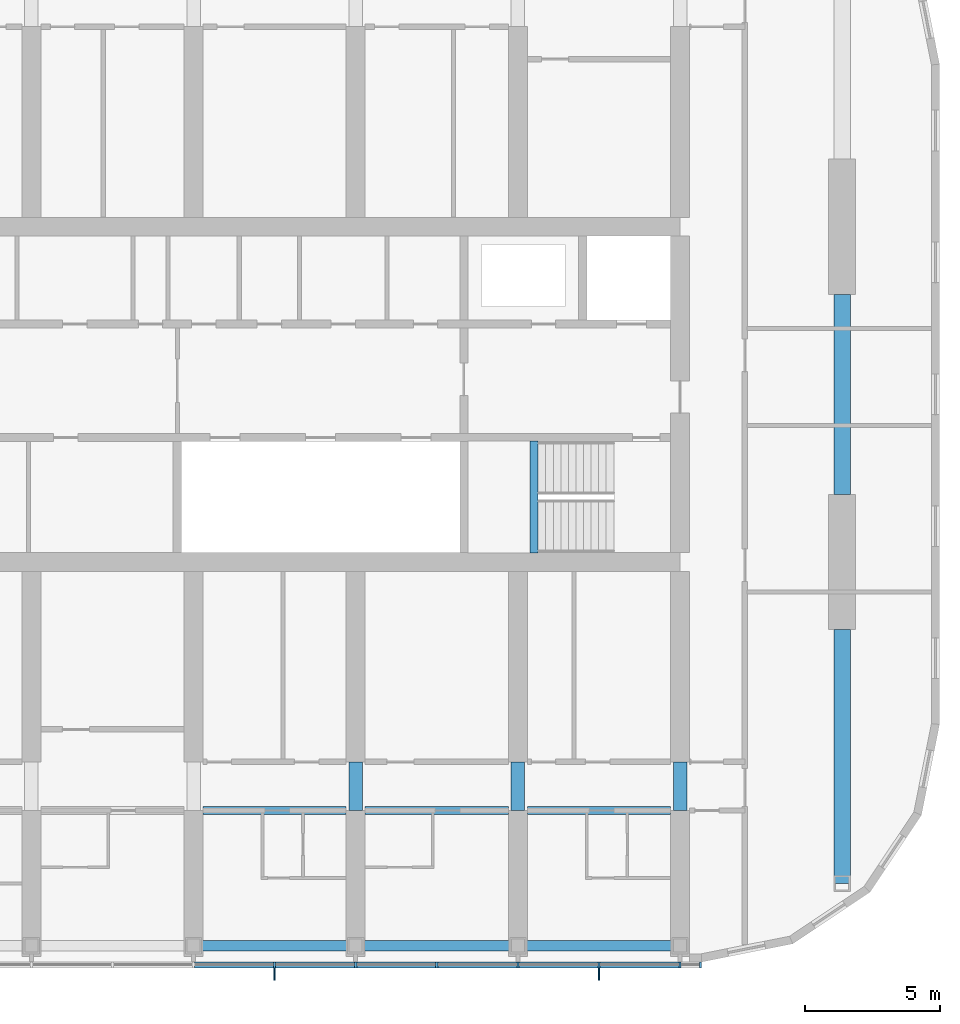
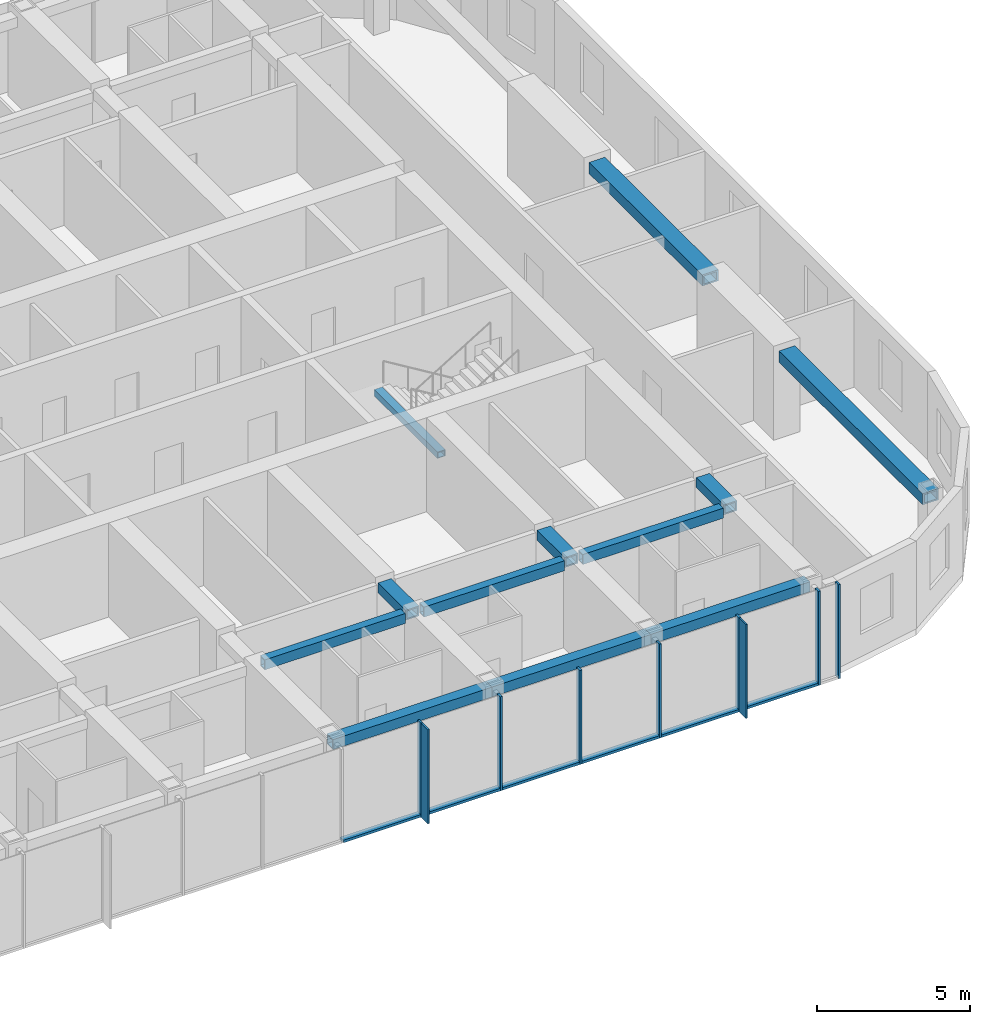
# One storey, part 3 of 23: 15 members, 12 beams, 1 element without a shape of its own.
"""IFC4 building model written with IfcOpenShell, lengths in metres."""

from ifc_helpers import new_model, si_unit, direction, frame, origin, origin_2d, place, context, subcontext, project, spatial, rectangle, hollow_rectangle, extrude, material, material_profile, profile_set, type_object, element, aggregate, save


model = new_model("IFC4")

# Units and contexts
model_context = context("Model", 3, precision=1e-05, world=origin(), true_north=direction((0.0, 1.0)))
body_context = subcontext(model_context, "Body", "Model", "MODEL_VIEW")
ifc_project = project(units=[si_unit("LENGTHUNIT", "METRE"), si_unit("AREAUNIT", "SQUARE_METRE"), si_unit("VOLUMEUNIT", "CUBIC_METRE"), si_unit("PLANEANGLEUNIT", "RADIAN"), si_unit("MASSUNIT", "GRAM", prefix="KILO")], contexts=[model_context])

# Site, building, storey
site_placement = place(None, origin())
site = spatial("IfcSite", under=ifc_project, at=site_placement, CompositionType="ELEMENT")
building_placement = place(site_placement, origin())
building = spatial("IfcBuilding", under=site, at=building_placement, Name="Orbita Commons", CompositionType="ELEMENT")
storey_placement = place(building_placement, frame((0.0, 0.0, 224.050048828125)))
storey = spatial("IfcBuildingStorey", under=building, at=storey_placement, Name="L55", CompositionType="ELEMENT", Elevation=224.050048828125)

# Curtain wall, members
ifc_material_1 = material(Name="Anodised aluminium frame, pale silver", Category="aluminium")
curtain_wall_type = type_object("IfcCurtainWallType", Name="Unitised curtain wall CW-U, full-height vision", PredefinedType="NOTDEFINED", material=ifc_material_1)
curtain_wall_placement = place(storey_placement, origin())
curtain_wall = element("IfcCurtainWall", 1, at=curtain_wall_placement, inside=storey, type_object=curtain_wall_type, Name="Curtain wall south L55", PredefinedType="NOTDEFINED")
ifc_material_2 = material(Name="Anodised aluminium, pale silver", Category="aluminium")
ifc_material_profile_1 = material_profile(ifc_material_2, rectangle(XDim=0.080078125, YDim=0.219970703125, at=origin_2d()), Name="AL 80x220")
ifc_profile_set_1 = profile_set([ifc_material_profile_1], Name="Anodised aluminium, pale silver")
member_type_1 = type_object("IfcMemberType", Name="Curtain wall mullion 80x220", PredefinedType="MULLION", material=ifc_profile_set_1)
member_1_placement = place(storey_placement, frame((51.0, 10.889892578125, -0.25), z_axis=(0.0, 0.0, 1.0), x_axis=(1.0, 0.0, 0.0)))
member_1 = element("IfcMember", 2, at=member_1_placement, type_object=member_type_1, Name="Mullion 13 CW-L55-S", PredefinedType="MULLION", context=body_context, shape_type="SweptSolid", body=[
    extrude(rectangle(XDim=0.080078125, YDim=0.219970703125, at=origin_2d()), origin(), (0.0, 0.0, 1.0), 3.75),
])
member_2_placement = place(storey_placement, frame((54.0, 10.889892578125, -0.25), z_axis=(0.0, 0.0, 1.0), x_axis=(1.0, 0.0, 0.0)))
member_2 = element("IfcMember", 3, at=member_2_placement, type_object=member_type_1, Name="Mullion 14 CW-L55-S", PredefinedType="MULLION", context=body_context, shape_type="SweptSolid", body=[
    extrude(rectangle(XDim=0.080078125, YDim=0.219970703125, at=origin_2d()), origin(), (0.0, 0.0, 1.0), 3.75),
])
member_3_placement = place(storey_placement, frame((57.0, 10.889892578125, -0.25), z_axis=(0.0, 0.0, 1.0), x_axis=(1.0, 0.0, 0.0)))
member_3 = element("IfcMember", 4, at=member_3_placement, type_object=member_type_1, Name="Mullion 15 CW-L55-S", PredefinedType="MULLION", context=body_context, shape_type="SweptSolid", body=[
    extrude(rectangle(XDim=0.080078125, YDim=0.219970703125, at=origin_2d()), origin(), (0.0, 0.0, 1.0), 3.75),
])
member_4_placement = place(storey_placement, frame((60.0, 10.889892578125, -0.25), z_axis=(0.0, 0.0, 1.0), x_axis=(1.0, 0.0, 0.0)))
member_4 = element("IfcMember", 5, at=member_4_placement, type_object=member_type_1, Name="Mullion 16 CW-L55-S", PredefinedType="MULLION", context=body_context, shape_type="SweptSolid", body=[
    extrude(rectangle(XDim=0.080078125, YDim=0.219970703125, at=origin_2d()), origin(), (0.0, 0.0, 1.0), 3.75),
])
member_5_placement = place(storey_placement, frame((63.0, 10.889892578125, -0.25), z_axis=(0.0, 0.0, 1.0), x_axis=(1.0, 0.0, 0.0)))
member_5 = element("IfcMember", 6, at=member_5_placement, type_object=member_type_1, Name="Mullion 17 CW-L55-S", PredefinedType="MULLION", context=body_context, shape_type="SweptSolid", body=[
    extrude(rectangle(XDim=0.080078125, YDim=0.219970703125, at=origin_2d()), origin(), (0.0, 0.0, 1.0), 3.75),
])
member_6_placement = place(storey_placement, frame((66.0, 10.889892578125, -0.25), z_axis=(0.0, 0.0, 1.0), x_axis=(1.0, 0.0, 0.0)))
member_6 = element("IfcMember", 7, at=member_6_placement, type_object=member_type_1, Name="Mullion 18 CW-L55-S", PredefinedType="MULLION", context=body_context, shape_type="SweptSolid", body=[
    extrude(rectangle(XDim=0.080078125, YDim=0.219970703125, at=origin_2d()), origin(), (0.0, 0.0, 1.0), 3.75),
])
member_7_placement = place(storey_placement, frame((66.760009765625, 10.889892578125, -0.25), z_axis=(0.0, 0.0, 1.0), x_axis=(1.0, 0.0, 0.0)))
member_7 = element("IfcMember", 8, at=member_7_placement, type_object=member_type_1, Name="Mullion 19 CW-L55-S", PredefinedType="MULLION", context=body_context, shape_type="SweptSolid", body=[
    extrude(rectangle(XDim=0.080078125, YDim=0.219970703125, at=origin_2d()), origin(), (0.0, 0.0, 1.0), 3.75),
])
ifc_material_3 = material(Name="Anodised aluminium, pale silver", Category="aluminium")
ifc_material_profile_2 = material_profile(ifc_material_3, rectangle(XDim=0.219970703125, YDim=0.10009765625, at=origin_2d()), Name="AL 220x100")
ifc_profile_set_2 = profile_set([ifc_material_profile_2], Name="Anodised aluminium, pale silver")
member_type_2 = type_object("IfcMemberType", Name="Curtain wall stack transom 220x100", PredefinedType="USERDEFINED", material=ifc_profile_set_2)
member_8_placement = place(storey_placement, frame((48.0400390625, 10.889892578125, -0.199951171875), z_axis=(1.0, 0.0, 0.0), x_axis=(0.0, 1.0, 0.0)))
member_8 = element("IfcMember", 9, at=member_8_placement, type_object=member_type_2, Name="Transom 12.1 CW-L55-S", ObjectType="TRANSOM", PredefinedType="USERDEFINED", context=body_context, shape_type="SweptSolid", body=[
    extrude(rectangle(XDim=0.219970703125, YDim=0.10009765625, at=origin_2d()), origin(), (0.0, 0.0, 1.0), 2.919921875),
])
member_9_placement = place(storey_placement, frame((51.0400390625, 10.889892578125, -0.199951171875), z_axis=(1.0, 0.0, 0.0), x_axis=(0.0, 1.0, 0.0)))
member_9 = element("IfcMember", 10, at=member_9_placement, type_object=member_type_2, Name="Transom 13.1 CW-L55-S", ObjectType="TRANSOM", PredefinedType="USERDEFINED", context=body_context, shape_type="SweptSolid", body=[
    extrude(rectangle(XDim=0.219970703125, YDim=0.10009765625, at=origin_2d()), origin(), (0.0, 0.0, 1.0), 2.919921875),
])
member_10_placement = place(storey_placement, frame((54.0400390625, 10.889892578125, -0.199951171875), z_axis=(1.0, 0.0, 0.0), x_axis=(0.0, 1.0, 0.0)))
member_10 = element("IfcMember", 11, at=member_10_placement, type_object=member_type_2, Name="Transom 14.1 CW-L55-S", ObjectType="TRANSOM", PredefinedType="USERDEFINED", context=body_context, shape_type="SweptSolid", body=[
    extrude(rectangle(XDim=0.219970703125, YDim=0.10009765625, at=origin_2d()), origin(), (0.0, 0.0, 1.0), 2.919921875),
])
member_11_placement = place(storey_placement, frame((57.0400390625, 10.889892578125, -0.199951171875), z_axis=(1.0, 0.0, 0.0), x_axis=(0.0, 1.0, 0.0)))
member_11 = element("IfcMember", 12, at=member_11_placement, type_object=member_type_2, Name="Transom 15.1 CW-L55-S", ObjectType="TRANSOM", PredefinedType="USERDEFINED", context=body_context, shape_type="SweptSolid", body=[
    extrude(rectangle(XDim=0.219970703125, YDim=0.10009765625, at=origin_2d()), origin(), (0.0, 0.0, 1.0), 2.919921875),
])
member_12_placement = place(storey_placement, frame((60.0400390625, 10.889892578125, -0.199951171875), z_axis=(1.0, 0.0, 0.0), x_axis=(0.0, 1.0, 0.0)))
member_12 = element("IfcMember", 13, at=member_12_placement, type_object=member_type_2, Name="Transom 16.1 CW-L55-S", ObjectType="TRANSOM", PredefinedType="USERDEFINED", context=body_context, shape_type="SweptSolid", body=[
    extrude(rectangle(XDim=0.219970703125, YDim=0.10009765625, at=origin_2d()), origin(), (0.0, 0.0, 1.0), 2.919921875),
])
member_13_placement = place(storey_placement, frame((63.0400390625, 10.889892578125, -0.199951171875), z_axis=(1.0, 0.0, 0.0), x_axis=(0.0, 1.0, 0.0)))
member_13 = element("IfcMember", 14, at=member_13_placement, type_object=member_type_2, Name="Transom 17.1 CW-L55-S", ObjectType="TRANSOM", PredefinedType="USERDEFINED", context=body_context, shape_type="SweptSolid", body=[
    extrude(rectangle(XDim=0.219970703125, YDim=0.10009765625, at=origin_2d()), origin(), (0.0, 0.0, 1.0), 2.919921875),
])

# Beams
ifc_material_4 = material(Name="Steel ASTM A572 Gr 50 welded plate", Category="steel")
ifc_material_profile_3 = material_profile(ifc_material_4, hollow_rectangle(XDim=0.300048828125, YDim=0.25, WallThickness=0.02490234375, at=origin_2d()), Name="BOX 250x300x25")
ifc_profile_set_3 = profile_set([ifc_material_profile_3], Name="Steel ASTM A572 Gr 50 welded plate")
beam_type_1 = type_object("IfcBeamType", Name="Stair landing beam steel BOX 250x300x25", PredefinedType="BEAM", material=ifc_profile_set_3)
beam_1_placement = place(storey_placement, frame((60.60009765625, 26.135009765625, 1.550048828125), z_axis=(0.0, 1.0, 0.0), x_axis=(-1.0, 0.0, 0.0)))
element("IfcBeam", 15, at=beam_1_placement, inside=storey, type_object=beam_type_1, Name="Stair S2 landing beam L55 1", PredefinedType="BEAM", context=body_context, shape_type="SweptSolid", body=[
    extrude(hollow_rectangle(XDim=0.300048828125, YDim=0.25, WallThickness=0.02490234375, at=origin_2d()), origin(), (0.0, 0.0, 1.0), 4.1298828125),
])
ifc_material_5 = material(Name="Steel ASTM A572 Gr 50 welded plate", Category="steel")
ifc_material_profile_4 = material_profile(ifc_material_5, hollow_rectangle(XDim=0.300048828125, YDim=0.39990234375, WallThickness=0.0400390625, at=origin_2d()), Name="BOX 400x300x40")
ifc_profile_set_4 = profile_set([ifc_material_profile_4], Name="Steel ASTM A572 Gr 50 welded plate")
beam_type_2 = type_object("IfcBeamType", Name="Steel corridor link BOX 400x300x40", PredefinedType="BEAM", material=ifc_profile_set_4)
for number, where, z_axis, x_axis, name in (
    (16, (48.35009765625, 16.60009765625, 3.300048828125), (1.0, 0.0, 0.0), (0.0, 1.0, 0.0), "Corridor beam SA 9-10 L55"),
    (17, (54.35009765625, 16.60009765625, 3.300048828125), (1.0, 0.0, 0.0), (0.0, 1.0, 0.0), "Corridor beam SA 10-11 L55"),
    (18, (60.35009765625, 16.60009765625, 3.300048828125), (1.0, 0.0, 0.0), (0.0, 1.0, 0.0), "Corridor beam SA 11-12 L55"),
):
    element("IfcBeam", number, at=place(storey_placement, frame(where, z_axis=z_axis, x_axis=x_axis)), inside=storey, type_object=beam_type_2, Name=name, PredefinedType="BEAM", context=body_context, shape_type="SweptSolid", body=[
        extrude(hollow_rectangle(XDim=0.300048828125, YDim=0.39990234375, WallThickness=0.0400390625, at=origin_2d()), origin(), (0.0, 0.0, 1.0), 5.2998046875),
    ])
ifc_material_6 = material(Name="Steel ASTM A572 Gr 50 welded plate", Category="steel")
ifc_material_profile_5 = material_profile(ifc_material_6, hollow_rectangle(XDim=0.5, YDim=0.39990234375, WallThickness=0.050048828125, at=origin_2d()), Name="BOX 400x500x50")
ifc_profile_set_5 = profile_set([ifc_material_profile_5], Name="Steel ASTM A572 Gr 50 welded plate")
beam_type_3 = type_object("IfcBeamType", Name="Steel coupling link BOX 400x500x50", PredefinedType="LINTEL", material=ifc_profile_set_5)
for number, where, z_axis, x_axis, name in (
    (19, (54.0, 16.60009765625, 3.300048828125), (0.0, 1.0, 0.0), (-1.0, 0.0, 0.0), "Coupling beam 10 south L55"),
    (20, (60.0, 16.60009765625, 3.300048828125), (0.0, 1.0, 0.0), (-1.0, 0.0, 0.0), "Coupling beam 11 south L55"),
    (21, (66.0, 16.60009765625, 3.300048828125), (0.0, 1.0, 0.0), (-1.0, 0.0, 0.0), "Coupling beam 12 south L55"),
):
    element("IfcBeam", number, at=place(storey_placement, frame(where, z_axis=z_axis, x_axis=x_axis)), inside=storey, type_object=beam_type_3, Name=name, PredefinedType="LINTEL", context=body_context, shape_type="SweptSolid", body=[
        extrude(hollow_rectangle(XDim=0.5, YDim=0.39990234375, WallThickness=0.050048828125, at=origin_2d()), origin(), (0.0, 0.0, 1.0), 1.7998046875),
    ])
ifc_material_7 = material(Name="Steel ASTM A572 Gr 50 welded plate", Category="steel")
ifc_material_profile_6 = material_profile(ifc_material_7, hollow_rectangle(XDim=0.60009765625, YDim=0.449951171875, WallThickness=0.06005859375, at=origin_2d()), Name="BOX 450x600x60")
ifc_profile_set_6 = profile_set([ifc_material_profile_6], Name="Steel ASTM A572 Gr 50 welded plate")
beam_type_4 = type_object("IfcBeamType", Name="Steel end frame link BOX 450x600x60", PredefinedType="BEAM", material=ifc_profile_set_6)
beam_2_placement = place(storey_placement, frame((72.0, 13.89990234375, 3.27490234375), z_axis=(0.0, 1.0, 0.0), x_axis=(-1.0, 0.0, 0.0)))
element("IfcBeam", 22, at=beam_2_placement, inside=storey, type_object=beam_type_4, Name="End frame beam 13 B-C L55", PredefinedType="BEAM", context=body_context, shape_type="SweptSolid", body=[
    extrude(hollow_rectangle(XDim=0.60009765625, YDim=0.449951171875, WallThickness=0.06005859375, at=origin_2d()), origin(), (0.0, 0.0, 1.0), 9.400146484375),
])
beam_3_placement = place(storey_placement, frame((72.0, 28.300048828125, 3.27490234375), z_axis=(0.0, 1.0, 0.0), x_axis=(-1.0, 0.0, 0.0)))
element("IfcBeam", 23, at=beam_3_placement, inside=storey, type_object=beam_type_4, Name="End frame beam 13 C-D L55", PredefinedType="BEAM", context=body_context, shape_type="SweptSolid", body=[
    extrude(hollow_rectangle(XDim=0.60009765625, YDim=0.449951171875, WallThickness=0.06005859375, at=origin_2d()), origin(), (0.0, 0.0, 1.0), 7.39990234375),
])
ifc_material_8 = material(Name="Steel ASTM A572 Gr 50 welded plate", Category="steel")
ifc_material_profile_7 = material_profile(ifc_material_8, hollow_rectangle(XDim=0.39990234375, YDim=0.39990234375, WallThickness=0.0400390625, at=origin_2d()), Name="BOX 400x400x40")
ifc_profile_set_7 = profile_set([ifc_material_profile_7], Name="Steel ASTM A572 Gr 50 welded plate")
beam_type_5 = type_object("IfcBeamType", Name="Steel spandrel BOX 400x400x40", PredefinedType="SPANDREL", material=ifc_profile_set_7)
for number, where, z_axis, x_axis, name in (
    (24, (48.0, 11.60009765625, 3.300048828125), (1.0, 0.0, 0.0), (0.0, 1.0, 0.0), "Spandrel beam B 9-10 L55"),
    (25, (54.0, 11.60009765625, 3.300048828125), (1.0, 0.0, 0.0), (0.0, 1.0, 0.0), "Spandrel beam B 10-11 L55"),
    (26, (60.0, 11.60009765625, 3.300048828125), (1.0, 0.0, 0.0), (0.0, 1.0, 0.0), "Spandrel beam B 11-12 L55"),
):
    element("IfcBeam", number, at=place(storey_placement, frame(where, z_axis=z_axis, x_axis=x_axis)), inside=storey, type_object=beam_type_5, Name=name, PredefinedType="SPANDREL", context=body_context, shape_type="SweptSolid", body=[
        extrude(hollow_rectangle(XDim=0.39990234375, YDim=0.39990234375, WallThickness=0.0400390625, at=origin_2d()), origin(), (0.0, 0.0, 1.0), 6.0),
    ])

# Member
ifc_material_9 = material(Name="Anodised aluminium, pale silver", Category="aluminium")
ifc_material_profile_8 = material_profile(ifc_material_9, rectangle(XDim=0.06005859375, YDim=0.449951171875, at=origin_2d()), Name="FIN 60x450")
ifc_profile_set_8 = profile_set([ifc_material_profile_8], Name="Anodised aluminium, pale silver")
member_type_3 = type_object("IfcMemberType", Name="Vertical fin 60x450 pale aluminium", PredefinedType="USERDEFINED", material=ifc_profile_set_8)
member_14_placement = place(storey_placement, frame((51.0, 10.554931640625, -0.25), z_axis=(0.0, 0.0, 1.0), x_axis=(1.0, 0.0, 0.0)))
member_14 = element("IfcMember", 27, at=member_14_placement, type_object=member_type_3, Name="Fin 13 CW-L55-S", ObjectType="FIN", PredefinedType="USERDEFINED", context=body_context, shape_type="SweptSolid", body=[
    extrude(rectangle(XDim=0.06005859375, YDim=0.449951171875, at=origin_2d()), origin(), (0.0, 0.0, 1.0), 3.75),
])

member_15_placement = place(storey_placement, frame((63.0, 10.554931640625, -0.25), z_axis=(0.0, 0.0, 1.0), x_axis=(1.0, 0.0, 0.0)))
member_15 = element("IfcMember", 28, at=member_15_placement, type_object=member_type_3, Name="Fin 17 CW-L55-S", ObjectType="FIN", PredefinedType="USERDEFINED", context=body_context, shape_type="SweptSolid", body=[
    extrude(rectangle(XDim=0.06005859375, YDim=0.449951171875, at=origin_2d()), origin(), (0.0, 0.0, 1.0), 3.75),
])

aggregate(curtain_wall, [member_1, member_14, member_2, member_3, member_4, member_5, member_15, member_6, member_7, member_8, member_9, member_10, member_11, member_12, member_13])

save(model, "model.ifc")
